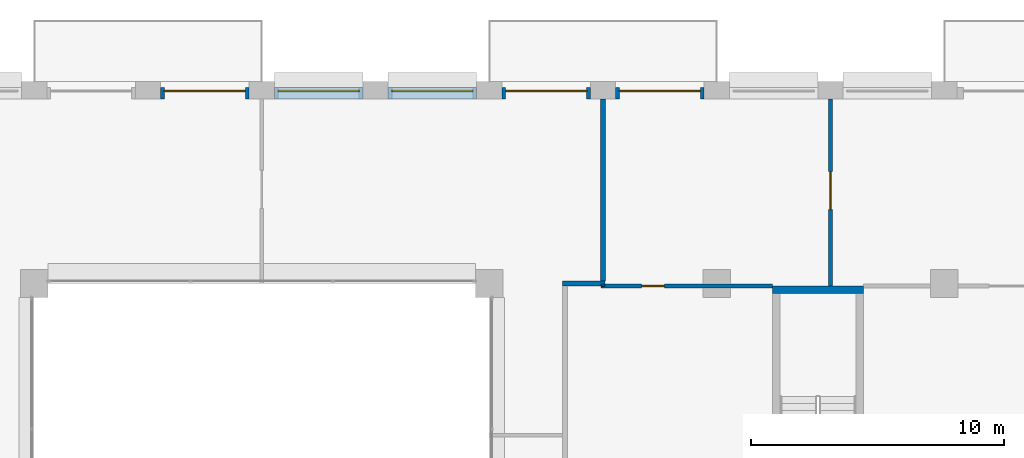
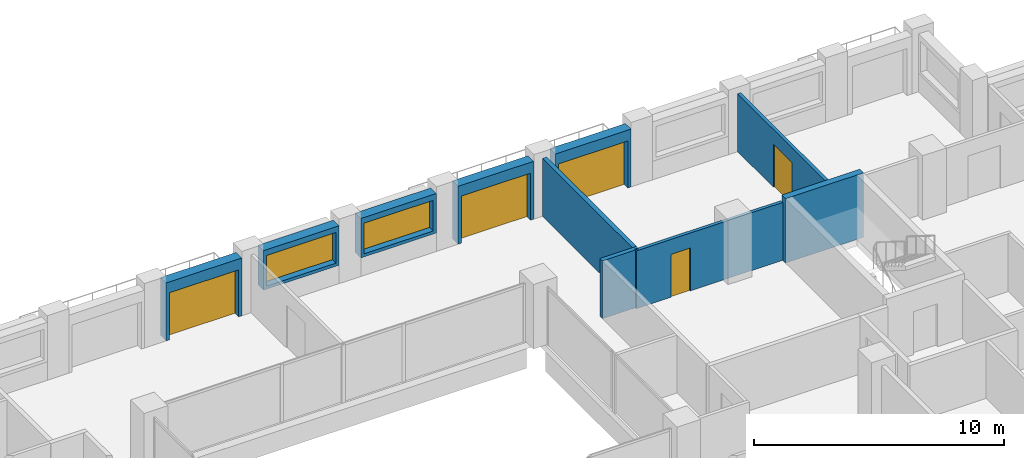
# One storey, part 13 of 16: 11 walls, 5 doors, 2 windows, 7 openings.
"""IFC4 building model written with IfcOpenShell, lengths in metres."""

from ifc_helpers import new_model, si_unit, direction, frame, frame_2d, origin, place, context, subcontext, project, spatial, rectangle, extrude, material, layer, layer_set, type_object, element, fill, save


model = new_model("IFC4")

# Units and contexts
model_context = context("Model", 3, precision=1e-05, world=origin(), true_north=direction((0.0, 1.0)))
body_context = subcontext(model_context, "Body", "Model", "MODEL_VIEW")
ifc_project = project(units=[si_unit("LENGTHUNIT", "METRE"), si_unit("AREAUNIT", "SQUARE_METRE"), si_unit("VOLUMEUNIT", "CUBIC_METRE"), si_unit("PLANEANGLEUNIT", "RADIAN"), si_unit("MASSUNIT", "GRAM", prefix="KILO")], contexts=[model_context])

# Site, building, storey
site_placement = place(None, origin())
site = spatial("IfcSite", under=ifc_project, at=site_placement, CompositionType="ELEMENT")
building_placement = place(site_placement, origin())
building = spatial("IfcBuilding", under=site, at=building_placement, Name="Brigalow Station Residences", CompositionType="ELEMENT")
storey_placement = place(building_placement, frame((0.0, 0.0, 160.199951171875)))
storey = spatial("IfcBuildingStorey", under=building, at=storey_placement, Name="L46", CompositionType="ELEMENT", Elevation=160.199951171875)

# Wall, opening, door
ifc_material_1 = material(Name="Clay brick masonry", Category="masonry")
ifc_layer_1 = layer(ifc_material_1, 0.449951171875)
ifc_layer_set_1 = layer_set([ifc_layer_1], Name="BRICK INFILL WALL 450")
wall_type_1 = type_object("IfcWallType", Name="BRICK INFILL WALL 450", PredefinedType="SOLIDWALL", material=ifc_layer_set_1)
wall_1_placement = place(storey_placement, frame((53.5, 43.02490234375, 0.0), z_axis=(0.0, 0.0, 1.0), x_axis=(-1.0, 0.0, 0.0)))
wall_1 = element("IfcWall", 1, at=wall_1_placement, inside=storey, type_object=wall_type_1, Name="L46/ewall/W-L46-25", PredefinedType="SOLIDWALL", context=body_context, shape_type="SweptSolid", body=[
    extrude(rectangle(XDim=3.5, YDim=0.449951171875, at=frame_2d((1.75, 0.0))), origin(), (0.0, 0.0, 1.0), 2.830078125),
])
opening_1_placement = place(wall_1_placement, frame((0.14990234375, 0.0, 0.0)))
opening_1 = element("IfcOpeningElement", 2, at=opening_1_placement, cuts=wall_1, Name="Opening D-B3200", PredefinedType="OPENING", context=body_context, shape_type="SweptSolid", body=[
    extrude(rectangle(XDim=3.199951171875, YDim=2.300048828125, at=frame_2d((1.60009765625, 1.14990234375))), frame((0.0, 0.23486328125, 0.0), z_axis=(0.0, -1.0, 0.0), x_axis=(1.0, 0.0, 0.0)), (0.0, 0.0, 1.0), 0.469970703125),
])
ifc_material_2 = material(Name="Anodised aluminium frame with double glazing", Category="aluminium")
door_type_1 = type_object("IfcDoorType", Name="BALCONY SLIDING DOOR 3200x2300", OperationType="SLIDING_TO_LEFT", PredefinedType="DOOR", material=ifc_material_2)
door_1_placement = place(opening_1_placement, origin())
door_1 = element("IfcDoor", 3, at=door_1_placement, inside=storey, type_object=door_type_1, Name="L46/balcony-door/W-L46-25", OperationType="SLIDING_TO_LEFT", OverallHeight=2.300048828125, OverallWidth=3.199951171875, PredefinedType="DOOR", context=body_context, shape_type="SweptSolid", body=[
    extrude(rectangle(XDim=3.199951171875, YDim=2.300048828125, at=frame_2d((1.60009765625, 1.14990234375))), frame((0.0, -0.06982421875, 0.0), z_axis=(0.0, -1.0, 0.0), x_axis=(1.0, 0.0, 0.0)), (0.0, 0.0, 1.0), 0.050048828125),
])
fill(opening_1, door_1)

wall_2_placement = place(storey_placement, frame((49.0, 43.02490234375, 0.0), z_axis=(0.0, 0.0, 1.0), x_axis=(-1.0, 0.0, 0.0)))
wall_2 = element("IfcWall", 4, at=wall_2_placement, inside=storey, type_object=wall_type_1, Name="L46/ewall/W-L46-26", PredefinedType="SOLIDWALL", context=body_context, shape_type="SweptSolid", body=[
    extrude(rectangle(XDim=3.5, YDim=0.449951171875, at=frame_2d((1.75, 0.0))), origin(), (0.0, 0.0, 1.0), 2.830078125),
])
opening_2_placement = place(wall_2_placement, frame((0.14990234375, 0.0, 0.0)))
opening_2 = element("IfcOpeningElement", 5, at=opening_2_placement, cuts=wall_2, Name="Opening D-B3200", PredefinedType="OPENING", context=body_context, shape_type="SweptSolid", body=[
    extrude(rectangle(XDim=3.199951171875, YDim=2.300048828125, at=frame_2d((1.60009765625, 1.14990234375))), frame((0.0, 0.23486328125, 0.0), z_axis=(0.0, -1.0, 0.0), x_axis=(1.0, 0.0, 0.0)), (0.0, 0.0, 1.0), 0.469970703125),
])
door_2_placement = place(opening_2_placement, origin())
door_2 = element("IfcDoor", 6, at=door_2_placement, inside=storey, type_object=door_type_1, Name="L46/balcony-door/W-L46-26", OperationType="SLIDING_TO_LEFT", OverallHeight=2.300048828125, OverallWidth=3.199951171875, PredefinedType="DOOR", context=body_context, shape_type="SweptSolid", body=[
    extrude(rectangle(XDim=3.199951171875, YDim=2.300048828125, at=frame_2d((1.60009765625, 1.14990234375))), frame((0.0, -0.06982421875, 0.0), z_axis=(0.0, -1.0, 0.0), x_axis=(1.0, 0.0, 0.0)), (0.0, 0.0, 1.0), 0.050048828125),
])
fill(opening_2, door_2)

# Wall, opening, window
wall_3_placement = place(storey_placement, frame((44.5, 43.02490234375, 0.900146484375), z_axis=(0.0, 0.0, 1.0), x_axis=(-1.0, 0.0, 0.0)))
wall_3 = element("IfcWall", 7, at=wall_3_placement, inside=storey, type_object=wall_type_1, Name="L46/ewall/W-L46-27", PredefinedType="SOLIDWALL", context=body_context, shape_type="SweptSolid", body=[
    extrude(rectangle(XDim=3.5, YDim=0.449951171875, at=frame_2d((1.75, 0.0))), origin(), (0.0, 0.0, 1.0), 1.929931640625),
])
opening_3_placement = place(wall_3_placement, frame((0.14990234375, 0.0, 0.14990234375)))
opening_3 = element("IfcOpeningElement", 8, at=opening_3_placement, cuts=wall_3, Name="Opening WT-9", PredefinedType="OPENING", context=body_context, shape_type="SweptSolid", body=[
    extrude(rectangle(XDim=3.199951171875, YDim=1.5, at=frame_2d((1.60009765625, 0.75))), frame((0.0, 0.23486328125, 0.0), z_axis=(0.0, -1.0, 0.0), x_axis=(1.0, 0.0, 0.0)), (0.0, 0.0, 1.0), 0.469970703125),
])
ifc_material_3 = material(Name="Anodised aluminium frame with double glazing", Category="aluminium")
window_type = type_object("IfcWindowType", Name="WINDOW 3200x1500", PartitioningType="SINGLE_PANEL", PredefinedType="WINDOW", material=ifc_material_3)
window_1_placement = place(opening_3_placement, origin())
window_1 = element("IfcWindow", 9, at=window_1_placement, inside=storey, type_object=window_type, Name="L46/window/W-L46-27", OverallHeight=1.5, OverallWidth=3.199951171875, PartitioningType="SINGLE_PANEL", PredefinedType="WINDOW", context=body_context, shape_type="SweptSolid", body=[
    extrude(rectangle(XDim=3.199951171875, YDim=1.5, at=frame_2d((1.60009765625, 0.75))), frame((0.0, -0.06494140625, 0.0), z_axis=(0.0, -1.0, 0.0), x_axis=(1.0, 0.0, 0.0)), (0.0, 0.0, 1.0), 0.06005859375),
])
fill(opening_3, window_1)

wall_4_placement = place(storey_placement, frame((40.0, 43.02490234375, 0.900146484375), z_axis=(0.0, 0.0, 1.0), x_axis=(-1.0, 0.0, 0.0)))
wall_4 = element("IfcWall", 10, at=wall_4_placement, inside=storey, type_object=wall_type_1, Name="L46/ewall/W-L46-28", PredefinedType="SOLIDWALL", context=body_context, shape_type="SweptSolid", body=[
    extrude(rectangle(XDim=3.5, YDim=0.449951171875, at=frame_2d((1.75, 0.0))), origin(), (0.0, 0.0, 1.0), 1.929931640625),
])
opening_4_placement = place(wall_4_placement, frame((0.14990234375, 0.0, 0.14990234375)))
opening_4 = element("IfcOpeningElement", 11, at=opening_4_placement, cuts=wall_4, Name="Opening WT-9", PredefinedType="OPENING", context=body_context, shape_type="SweptSolid", body=[
    extrude(rectangle(XDim=3.199951171875, YDim=1.5, at=frame_2d((1.60009765625, 0.75))), frame((0.0, 0.23486328125, 0.0), z_axis=(0.0, -1.0, 0.0), x_axis=(1.0, 0.0, 0.0)), (0.0, 0.0, 1.0), 0.469970703125),
])
window_2_placement = place(opening_4_placement, origin())
window_2 = element("IfcWindow", 12, at=window_2_placement, inside=storey, type_object=window_type, Name="L46/window/W-L46-28", OverallHeight=1.5, OverallWidth=3.199951171875, PartitioningType="SINGLE_PANEL", PredefinedType="WINDOW", context=body_context, shape_type="SweptSolid", body=[
    extrude(rectangle(XDim=3.199951171875, YDim=1.5, at=frame_2d((1.60009765625, 0.75))), frame((0.0, -0.06494140625, 0.0), z_axis=(0.0, -1.0, 0.0), x_axis=(1.0, 0.0, 0.0)), (0.0, 0.0, 1.0), 0.06005859375),
])
fill(opening_4, window_2)

# Wall, opening, door
wall_5_placement = place(storey_placement, frame((35.5, 43.02490234375, 0.0), z_axis=(0.0, 0.0, 1.0), x_axis=(-1.0, 0.0, 0.0)))
wall_5 = element("IfcWall", 13, at=wall_5_placement, inside=storey, type_object=wall_type_1, Name="L46/ewall/W-L46-29", PredefinedType="SOLIDWALL", context=body_context, shape_type="SweptSolid", body=[
    extrude(rectangle(XDim=3.5, YDim=0.449951171875, at=frame_2d((1.75, 0.0))), origin(), (0.0, 0.0, 1.0), 2.830078125),
])
opening_5_placement = place(wall_5_placement, frame((0.14990234375, 0.0, 0.0)))
opening_5 = element("IfcOpeningElement", 14, at=opening_5_placement, cuts=wall_5, Name="Opening D-B3200", PredefinedType="OPENING", context=body_context, shape_type="SweptSolid", body=[
    extrude(rectangle(XDim=3.199951171875, YDim=2.300048828125, at=frame_2d((1.60009765625, 1.14990234375))), frame((0.0, 0.23486328125, 0.0), z_axis=(0.0, -1.0, 0.0), x_axis=(1.0, 0.0, 0.0)), (0.0, 0.0, 1.0), 0.469970703125),
])
door_3_placement = place(opening_5_placement, origin())
door_3 = element("IfcDoor", 15, at=door_3_placement, inside=storey, type_object=door_type_1, Name="L46/balcony-door/W-L46-29", OperationType="SLIDING_TO_LEFT", OverallHeight=2.300048828125, OverallWidth=3.199951171875, PredefinedType="DOOR", context=body_context, shape_type="SweptSolid", body=[
    extrude(rectangle(XDim=3.199951171875, YDim=2.300048828125, at=frame_2d((1.60009765625, 1.14990234375))), frame((0.0, -0.06982421875, 0.0), z_axis=(0.0, -1.0, 0.0), x_axis=(1.0, 0.0, 0.0)), (0.0, 0.0, 1.0), 0.050048828125),
])
fill(opening_5, door_3)

# Wall
ifc_material_4 = material(Name="Concrete C65", Category="concrete")
ifc_layer_2 = layer(ifc_material_4, 0.300048828125)
ifc_layer_set_2 = layer_set([ifc_layer_2], Name="CORE SHEAR WALL 300 C65")
wall_type_2 = type_object("IfcWallType", Name="CORE SHEAR WALL 300 C65", PredefinedType="SHEAR", material=ifc_layer_set_2)
wall_6_placement = place(storey_placement, frame((56.199951171875, 35.25, 0.0), z_axis=(0.0, 0.0, 1.0), x_axis=(1.0, 0.0, 0.0)))
element("IfcWall", 16, at=wall_6_placement, inside=storey, type_object=wall_type_2, Name="CORE WALL ST-S3-N L46", PredefinedType="SHEAR", context=body_context, shape_type="SweptSolid", body=[
    extrude(rectangle(XDim=3.60009765625, YDim=0.300048828125, at=frame_2d((1.800048828125, 0.0))), origin(), (0.0, 0.0, 1.0), 3.150146484375),
])

# Wall, opening, door
ifc_material_5 = material(Name="Plasterboard on steel stud partition", Category="steel")
ifc_layer_3 = layer(ifc_material_5, 0.14990234375)
ifc_layer_set_3 = layer_set([ifc_layer_3], Name="FLAT PARTITION 150")
wall_type_3 = type_object("IfcWallType", Name="FLAT PARTITION 150", PredefinedType="PARTITIONING", material=ifc_layer_set_3)
wall_7_placement = place(storey_placement, frame((49.425048828125, 35.39990234375, 0.0), z_axis=(0.0, 0.0, 1.0), x_axis=(1.0, 0.0, 0.0)))
wall_7 = element("IfcWall", 17, at=wall_7_placement, inside=storey, type_object=wall_type_3, Name="PW-3C18", PredefinedType="PARTITIONING", context=body_context, shape_type="SweptSolid", body=[
    extrude(rectangle(XDim=6.77490234375, YDim=0.14990234375, at=frame_2d((3.387451171875, 0.0))), origin(), (0.0, 0.0, 1.0), 2.830078125),
])
opening_6_placement = place(wall_7_placement, frame((1.60009765625, 0.0, 0.0)))
opening_6 = element("IfcOpeningElement", 18, at=opening_6_placement, cuts=wall_7, Name="Opening D-3C28", PredefinedType="OPENING", context=body_context, shape_type="SweptSolid", body=[
    extrude(rectangle(XDim=0.89990234375, YDim=2.10009765625, at=frame_2d((0.449951171875, 1.050048828125))), frame((0.0, 0.0849609375, 0.0), z_axis=(0.0, -1.0, 0.0), x_axis=(1.0, 0.0, 0.0)), (0.0, 0.0, 1.0), 0.169921875),
])
ifc_material_6 = material(Name="Solid-core timber door leaf", Category="wood")
door_type_2 = type_object("IfcDoorType", Name="INTERNAL DOOR 900 x 2100", OperationType="SINGLE_SWING_LEFT", PredefinedType="DOOR", material=ifc_material_6)
door_4_placement = place(opening_6_placement, origin())
door_4 = element("IfcDoor", 19, at=door_4_placement, inside=storey, type_object=door_type_2, Name="D-3C28", OperationType="SINGLE_SWING_LEFT", OverallHeight=2.10009765625, OverallWidth=0.89990234375, PredefinedType="DOOR", context=body_context, shape_type="SweptSolid", body=[
    extrude(rectangle(XDim=0.89990234375, YDim=2.10009765625, at=frame_2d((0.449951171875, 1.050048828125))), frame((0.0, 0.02490234375, 0.0), z_axis=(0.0, -1.0, 0.0), x_axis=(1.0, 0.0, 0.0)), (0.0, 0.0, 1.0), 0.050048828125),
])
fill(opening_6, door_4)

wall_8_placement = place(storey_placement, frame((58.5, 35.39990234375, 0.0), z_axis=(0.0, 0.0, 1.0), x_axis=(0.0, 1.0, 0.0)))
wall_8 = element("IfcWall", 20, at=wall_8_placement, inside=storey, type_object=wall_type_3, Name="PW-3C42", PredefinedType="PARTITIONING", context=body_context, shape_type="SweptSolid", body=[
    extrude(rectangle(XDim=7.400146484375, YDim=0.14990234375, at=frame_2d((3.7001953125, 0.0))), origin(), (0.0, 0.0, 1.0), 2.830078125),
])
opening_7_placement = place(wall_8_placement, frame((3.02490234375, 0.0, 0.0)))
opening_7 = element("IfcOpeningElement", 21, at=opening_7_placement, cuts=wall_8, Name="Opening D-3C27", PredefinedType="OPENING", context=body_context, shape_type="SweptSolid", body=[
    extrude(rectangle(XDim=1.5, YDim=2.10009765625, at=frame_2d((0.75, 1.050048828125))), frame((0.0, 0.0849609375, 0.0), z_axis=(0.0, -1.0, 0.0), x_axis=(1.0, 0.0, 0.0)), (0.0, 0.0, 1.0), 0.169921875),
])
ifc_material_7 = material(Name="Solid-core timber door leaf", Category="wood")
door_type_3 = type_object("IfcDoorType", Name="INTERNAL DOUBLE DOOR 1500 x 2100", OperationType="DOUBLE_DOOR_SINGLE_SWING", PredefinedType="DOOR", material=ifc_material_7)
door_5_placement = place(opening_7_placement, frame((1.5, 0.0, 0.0), z_axis=(0.0, 0.0, 1.0), x_axis=(-1.0, 0.0, 0.0)))
door_5 = element("IfcDoor", 22, at=door_5_placement, inside=storey, type_object=door_type_3, Name="D-3C27", OperationType="DOUBLE_DOOR_SINGLE_SWING", OverallHeight=2.10009765625, OverallWidth=1.5, PredefinedType="DOOR", context=body_context, shape_type="SweptSolid", body=[
    extrude(rectangle(XDim=1.5, YDim=2.10009765625, at=frame_2d((0.75, 1.050048828125))), frame((0.0, 0.02490234375, 0.0), z_axis=(0.0, -1.0, 0.0), x_axis=(1.0, 0.0, 0.0)), (0.0, 0.0, 1.0), 0.050048828125),
])
fill(opening_7, door_5)

# Walls
wall_9_placement = place(storey_placement, frame((49.5, 35.39990234375, 0.0), z_axis=(0.0, 0.0, 1.0), x_axis=(0.0, 1.0, 0.0)))
element("IfcWall", 23, at=wall_9_placement, inside=storey, type_object=wall_type_3, Name="PW-3C48", PredefinedType="PARTITIONING", context=body_context, shape_type="SweptSolid", body=[
    extrude(rectangle(XDim=0.0751953125, YDim=0.14990234375, at=frame_2d((0.03759765625, 0.0))), origin(), (0.0, 0.0, 1.0), 2.830078125),
])
ifc_material_8 = material(Name="Plasterboard on steel stud partition", Category="steel")
ifc_layer_4 = layer(ifc_material_8, 0.199951171875)
ifc_layer_set_4 = layer_set([ifc_layer_4], Name="PARTY AND CORRIDOR WALL 200")
wall_type_4 = type_object("IfcWallType", Name="PARTY AND CORRIDOR WALL 200", PredefinedType="PARTITIONING", material=ifc_layer_set_4)
wall_10_placement = place(storey_placement, frame((47.89990234375, 35.5, 0.0), z_axis=(0.0, 0.0, 1.0), x_axis=(1.0, 0.0, 0.0)))
element("IfcWall", 24, at=wall_10_placement, inside=storey, type_object=wall_type_4, Name="PW-3C23", PredefinedType="PARTITIONING", context=body_context, shape_type="SweptSolid", body=[
    extrude(rectangle(XDim=1.675048828125, YDim=0.199951171875, at=frame_2d((0.83740234375, 0.0))), origin(), (0.0, 0.0, 1.0), 2.830078125),
])
wall_11_placement = place(storey_placement, frame((49.5, 35.60009765625, 0.0), z_axis=(0.0, 0.0, 1.0), x_axis=(0.0, 1.0, 0.0)))
element("IfcWall", 25, at=wall_11_placement, inside=storey, type_object=wall_type_4, Name="PW-3C49", PredefinedType="PARTITIONING", context=body_context, shape_type="SweptSolid", body=[
    extrude(rectangle(XDim=7.199951171875, YDim=0.199951171875, at=frame_2d((3.60009765625, 0.0))), origin(), (0.0, 0.0, 1.0), 2.830078125),
])

save(model, "model.ifc")
